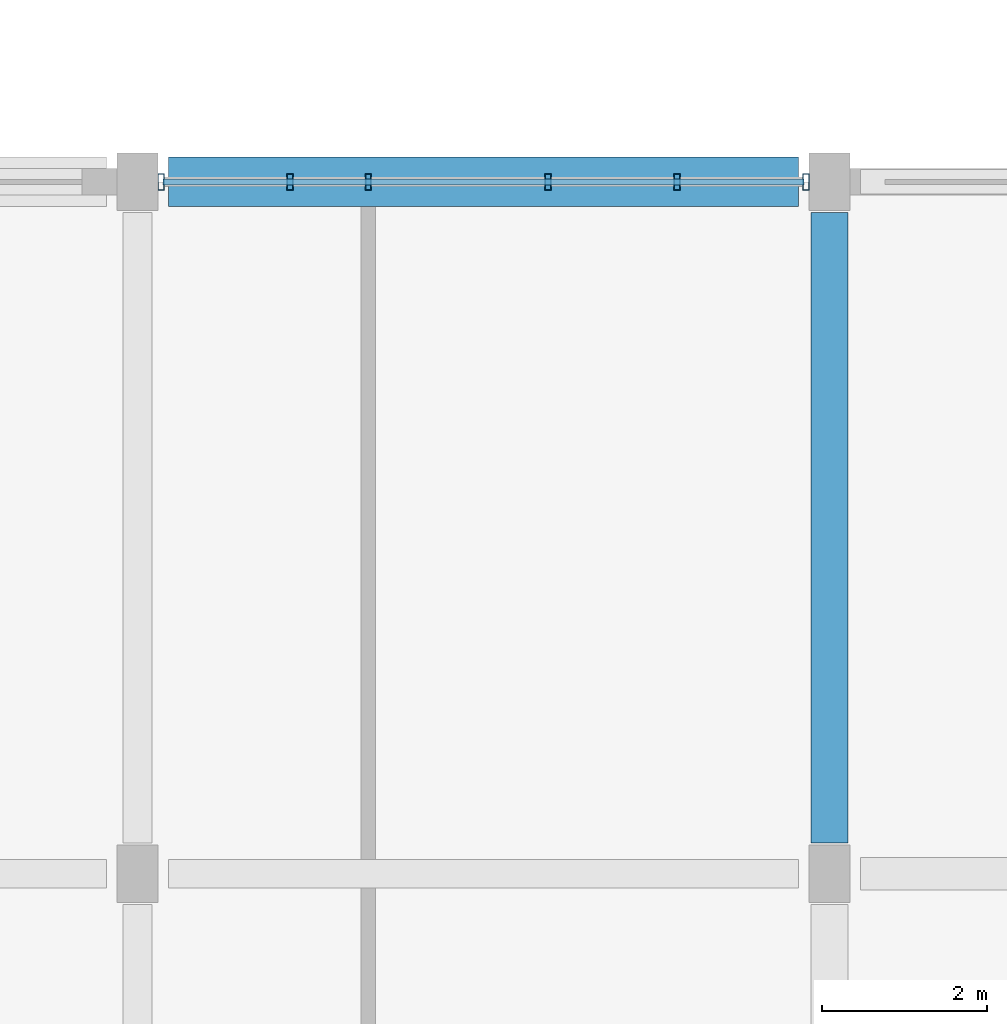
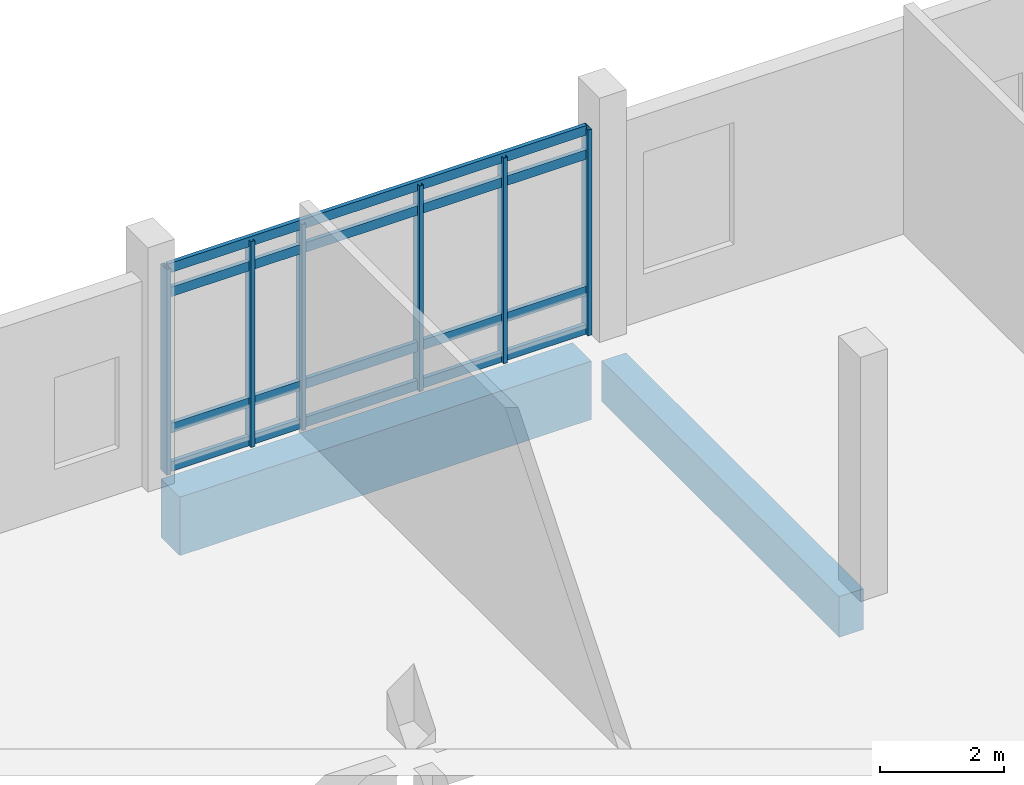
# One storey, part 40 of 95: 10 members, 2 beams, 1 element without a shape of its own.
"""IFC4 building model written with IfcOpenShell, lengths in metres."""

from ifc_helpers import new_model, si_unit, direction, frame, origin, origin_2d, place, context, subcontext, project, spatial, rectangle, hollow_rectangle, extrude, material, layer, layer_set, material_profile, profile_set, type_object, element, aggregate, save


model = new_model("IFC4")

# Units and contexts
model_context = context("Model", 3, precision=1e-05, world=origin(), true_north=direction((0.0, 1.0)))
body_context = subcontext(model_context, "Body", "Model", "MODEL_VIEW")
ifc_project = project(units=[si_unit("LENGTHUNIT", "METRE"), si_unit("AREAUNIT", "SQUARE_METRE"), si_unit("VOLUMEUNIT", "CUBIC_METRE"), si_unit("PLANEANGLEUNIT", "RADIAN"), si_unit("MASSUNIT", "GRAM", prefix="KILO")], contexts=[model_context])

# Site, building, storey
site_placement = place(None, origin())
site = spatial("IfcSite", under=ifc_project, at=site_placement, CompositionType="ELEMENT")
building_placement = place(site_placement, origin())
building = spatial("IfcBuilding", under=site, at=building_placement, Name="Vireocrest Preparatory School", CompositionType="ELEMENT")
storey_placement = place(building_placement, origin())
storey = spatial("IfcBuildingStorey", under=building, at=storey_placement, Name="L00", CompositionType="ELEMENT", Elevation=0.0)

# Curtain wall, members
ifc_material_1 = material(Name="Thermally broken aluminium EN AW-6063-T6", Category="aluminium")
ifc_layer = layer(ifc_material_1, 0.179931640625)
ifc_layer_set = layer_set([ifc_layer], Name="Thermally broken aluminium EN AW-6063-T6")
curtain_wall_type = type_object("IfcCurtainWallType", Name="Library Reading Bay Glazing 7600x4200", PredefinedType="USERDEFINED", material=ifc_layer_set)
curtain_wall_placement = place(storey_placement, origin())
curtain_wall = element("IfcCurtainWall", 1, at=curtain_wall_placement, inside=storey, type_object=curtain_wall_type, Name="Curtain Wall CW16 CW_L00_CW16_1178_0522_000", ObjectType="CURTAIN WALL", PredefinedType="USERDEFINED")
ifc_material_profile_1 = material_profile(ifc_material_1, hollow_rectangle(XDim=0.074951171875, YDim=0.199951171875, WallThickness=0.0048828125, at=origin_2d()), Name="ALU 75x200x5")
ifc_profile_set_1 = profile_set([ifc_material_profile_1], Name="Thermally broken aluminium EN AW-6063-T6")
member_type_1 = type_object("IfcMemberType", Name="CW Mullion 75x200x5", PredefinedType="MULLION", material=ifc_profile_set_1)
member_1_placement = place(storey_placement, frame((117.885009765625, 52.199951171875, 0.0), z_axis=(0.0, 0.0, 1.0), x_axis=(1.0, 0.0, 0.0)))
member_1 = element("IfcMember", 2, at=member_1_placement, type_object=member_type_1, Name="CW Mullion ML3 CW_L00_CW16_1178_0522_000-1", PredefinedType="MULLION", context=body_context, shape_type="SweptSolid", body=[
    extrude(hollow_rectangle(XDim=0.074951171875, YDim=0.199951171875, WallThickness=0.0048828125, at=origin_2d()), origin(), (0.0, 0.0, 1.0), 4.044921875),
])
member_2_placement = place(storey_placement, frame((119.450927734375, 52.199951171875, 0.0), z_axis=(0.0, 0.0, 1.0), x_axis=(1.0, 0.0, 0.0)))
member_2 = element("IfcMember", 3, at=member_2_placement, type_object=member_type_1, Name="CW Mullion ML3 CW_L00_CW16_1178_0522_000-2", PredefinedType="MULLION", context=body_context, shape_type="SweptSolid", body=[
    extrude(hollow_rectangle(XDim=0.074951171875, YDim=0.199951171875, WallThickness=0.0048828125, at=origin_2d()), origin(), (0.0, 0.0, 1.0), 4.044921875),
])
member_3_placement = place(storey_placement, frame((120.39990234375, 52.199951171875, 0.0), z_axis=(0.0, 0.0, 1.0), x_axis=(1.0, 0.0, 0.0)))
member_3 = element("IfcMember", 4, at=member_3_placement, type_object=member_type_1, Name="CW Mullion ML3 CW_L00_CW16_1178_0522_000-3", PredefinedType="MULLION", context=body_context, shape_type="SweptSolid", body=[
    extrude(hollow_rectangle(XDim=0.074951171875, YDim=0.199951171875, WallThickness=0.0048828125, at=origin_2d()), origin(), (0.0, 0.0, 1.0), 4.044921875),
])
member_4_placement = place(storey_placement, frame((122.5830078125, 52.199951171875, 0.0), z_axis=(0.0, 0.0, 1.0), x_axis=(1.0, 0.0, 0.0)))
member_4 = element("IfcMember", 5, at=member_4_placement, type_object=member_type_1, Name="CW Mullion ML3 CW_L00_CW16_1178_0522_000-4", PredefinedType="MULLION", context=body_context, shape_type="SweptSolid", body=[
    extrude(hollow_rectangle(XDim=0.074951171875, YDim=0.199951171875, WallThickness=0.0048828125, at=origin_2d()), origin(), (0.0, 0.0, 1.0), 4.044921875),
])
member_5_placement = place(storey_placement, frame((124.14892578125, 52.199951171875, 0.0), z_axis=(0.0, 0.0, 1.0), x_axis=(1.0, 0.0, 0.0)))
member_5 = element("IfcMember", 6, at=member_5_placement, type_object=member_type_1, Name="CW Mullion ML3 CW_L00_CW16_1178_0522_000-5", PredefinedType="MULLION", context=body_context, shape_type="SweptSolid", body=[
    extrude(hollow_rectangle(XDim=0.074951171875, YDim=0.199951171875, WallThickness=0.0048828125, at=origin_2d()), origin(), (0.0, 0.0, 1.0), 4.044921875),
])
member_6_placement = place(storey_placement, frame((125.715087890625, 52.199951171875, 0.0), z_axis=(0.0, 0.0, 1.0), x_axis=(1.0, 0.0, 0.0)))
member_6 = element("IfcMember", 7, at=member_6_placement, type_object=member_type_1, Name="CW Mullion ML3 CW_L00_CW16_1178_0522_000-6", PredefinedType="MULLION", context=body_context, shape_type="SweptSolid", body=[
    extrude(hollow_rectangle(XDim=0.074951171875, YDim=0.199951171875, WallThickness=0.0048828125, at=origin_2d()), origin(), (0.0, 0.0, 1.0), 4.044921875),
])
ifc_material_profile_2 = material_profile(ifc_material_1, hollow_rectangle(XDim=0.074951171875, YDim=0.18994140625, WallThickness=0.00390625, at=origin_2d()), Name="ALU 75x190x4")
ifc_profile_set_2 = profile_set([ifc_material_profile_2], Name="Thermally broken aluminium EN AW-6063-T6")
member_type_2 = type_object("IfcMemberType", Name="CW Transom 75x190x4", PredefinedType="USERDEFINED", material=ifc_profile_set_2)
member_7_placement = place(storey_placement, frame((117.909912109375, 52.199951171875, 0.094970703125), z_axis=(1.0, 0.0, 0.0), x_axis=(0.0, 1.0, 0.0)))
member_7 = element("IfcMember", 8, at=member_7_placement, type_object=member_type_2, Name="CW Transom TR3 CW_L00_CW16_1178_0522_000-1", ObjectType="TRANSOM", PredefinedType="USERDEFINED", context=body_context, shape_type="SweptSolid", body=[
    extrude(hollow_rectangle(XDim=0.074951171875, YDim=0.18994140625, WallThickness=0.00390625, at=origin_2d()), origin(), (0.0, 0.0, 1.0), 7.780029296875),
])
member_8_placement = place(storey_placement, frame((117.909912109375, 52.199951171875, 0.85009765625), z_axis=(1.0, 0.0, 0.0), x_axis=(0.0, 1.0, 0.0)))
member_8 = element("IfcMember", 9, at=member_8_placement, type_object=member_type_2, Name="CW Transom TR3 CW_L00_CW16_1178_0522_000-2", ObjectType="TRANSOM", PredefinedType="USERDEFINED", context=body_context, shape_type="SweptSolid", body=[
    extrude(hollow_rectangle(XDim=0.074951171875, YDim=0.18994140625, WallThickness=0.00390625, at=origin_2d()), origin(), (0.0, 0.0, 1.0), 7.780029296875),
])
member_9_placement = place(storey_placement, frame((117.909912109375, 52.199951171875, 3.530029296875), z_axis=(1.0, 0.0, 0.0), x_axis=(0.0, 1.0, 0.0)))
member_9 = element("IfcMember", 10, at=member_9_placement, type_object=member_type_2, Name="CW Transom TR3 CW_L00_CW16_1178_0522_000-3", ObjectType="TRANSOM", PredefinedType="USERDEFINED", context=body_context, shape_type="SweptSolid", body=[
    extrude(hollow_rectangle(XDim=0.074951171875, YDim=0.18994140625, WallThickness=0.00390625, at=origin_2d()), origin(), (0.0, 0.0, 1.0), 7.780029296875),
])
member_10_placement = place(storey_placement, frame((117.909912109375, 52.199951171875, 4.0048828125), z_axis=(1.0, 0.0, 0.0), x_axis=(0.0, 1.0, 0.0)))
member_10 = element("IfcMember", 11, at=member_10_placement, type_object=member_type_2, Name="CW Transom TR3 CW_L00_CW16_1178_0522_000-4", ObjectType="TRANSOM", PredefinedType="USERDEFINED", context=body_context, shape_type="SweptSolid", body=[
    extrude(hollow_rectangle(XDim=0.074951171875, YDim=0.18994140625, WallThickness=0.00390625, at=origin_2d()), origin(), (0.0, 0.0, 1.0), 7.780029296875),
])
aggregate(curtain_wall, [member_1, member_2, member_3, member_4, member_5, member_6, member_7, member_8, member_9, member_10])

# Beams
ifc_material_2 = material(Name="Concrete 40 MPa", Category="concrete")
ifc_material_profile_3 = material_profile(ifc_material_2, rectangle(XDim=0.60009765625, YDim=1.14990234375, at=origin_2d()), Name="RC 600x1150")
ifc_profile_set_3 = profile_set([ifc_material_profile_3], Name="Concrete 40 MPa")
beam_type_1 = type_object("IfcBeamType", Name="RC Heavy Transfer Girder 600x1150", PredefinedType="BEAM", material=ifc_profile_set_3)
beam_1_placement = place(storey_placement, frame((117.97509765625, 52.199951171875, -0.925048828125), z_axis=(1.0, 0.0, 0.0), x_axis=(0.0, 1.0, 0.0)))
element("IfcBeam", 12, at=beam_1_placement, inside=storey, type_object=beam_type_1, Name="Primary Girder B20 L00-0072", PredefinedType="BEAM", context=body_context, shape_type="SweptSolid", body=[
    extrude(rectangle(XDim=0.60009765625, YDim=1.14990234375, at=origin_2d()), origin(), (0.0, 0.0, 1.0), 7.64990234375),
])
ifc_material_profile_4 = material_profile(ifc_material_2, rectangle(XDim=0.449951171875, YDim=0.800048828125, at=origin_2d()), Name="RC 450x800")
ifc_profile_set_4 = profile_set([ifc_material_profile_4], Name="Concrete 40 MPa")
beam_type_2 = type_object("IfcBeamType", Name="RC Library Stack Girder 450x800", PredefinedType="BEAM", material=ifc_profile_set_4)
beam_2_placement = place(storey_placement, frame((126.0, 44.175048828125, -0.75), z_axis=(0.0, 1.0, 0.0), x_axis=(-1.0, 0.0, 0.0)))
element("IfcBeam", 13, at=beam_2_placement, inside=storey, type_object=beam_type_2, Name="Primary Girder B12 L00-0239", PredefinedType="BEAM", context=body_context, shape_type="SweptSolid", body=[
    extrude(rectangle(XDim=0.449951171875, YDim=0.800048828125, at=origin_2d()), origin(), (0.0, 0.0, 1.0), 7.64990234375),
])

save(model, "model.ifc")
